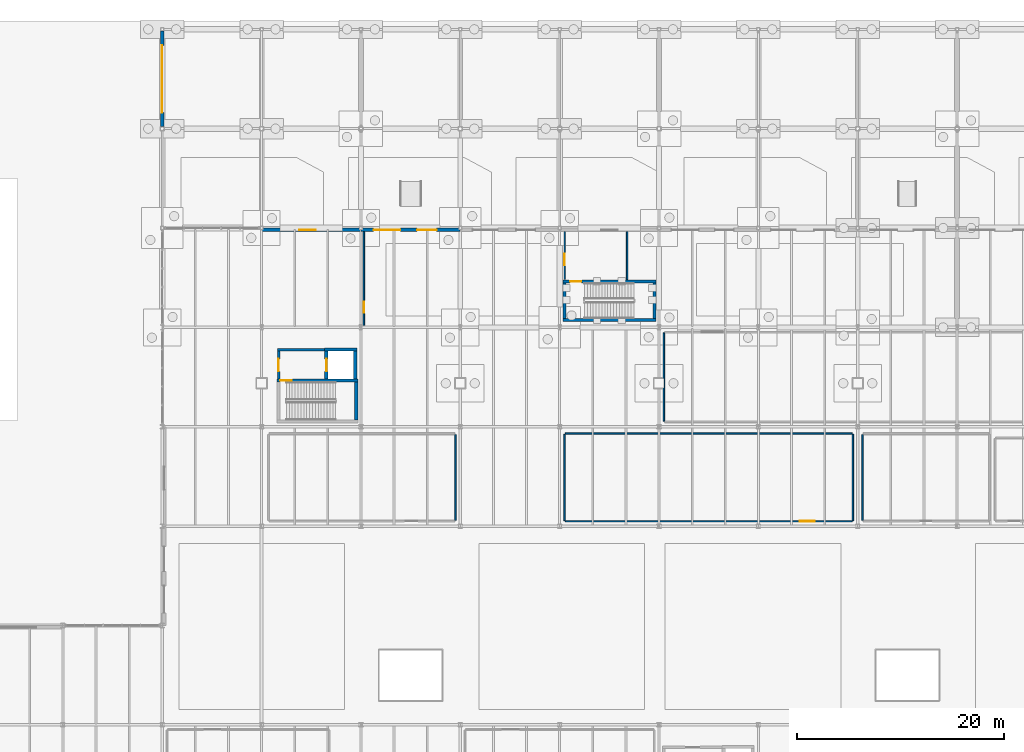
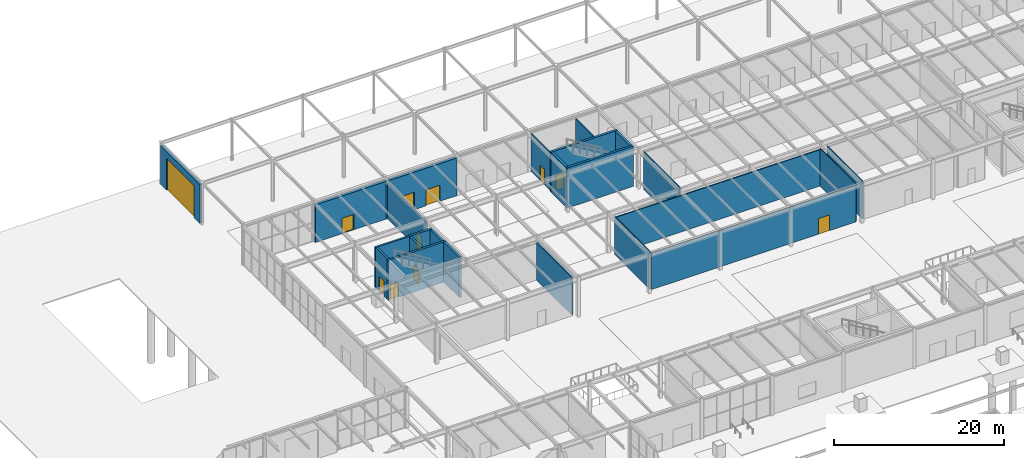
# One storey, part 121 of 142: 24 walls, 11 doors, 11 openings.
"""IFC4 building model written with IfcOpenShell, lengths in metres."""

from ifc_helpers import new_model, si_unit, direction, frame, frame_2d, origin, place, context, subcontext, project, spatial, rectangle, extrude, material, layer, layer_set, type_object, element, fill, save


model = new_model("IFC4")

# Units and contexts
model_context = context("Model", 3, precision=1e-05, world=origin(), true_north=direction((0.0, 1.0)))
body_context = subcontext(model_context, "Body", "Model", "MODEL_VIEW")
ifc_project = project(units=[si_unit("LENGTHUNIT", "METRE"), si_unit("AREAUNIT", "SQUARE_METRE"), si_unit("VOLUMEUNIT", "CUBIC_METRE"), si_unit("PLANEANGLEUNIT", "RADIAN"), si_unit("MASSUNIT", "GRAM", prefix="KILO")], contexts=[model_context])

# Site, building, storey
site_placement = place(None, origin())
site = spatial("IfcSite", under=ifc_project, at=site_placement, CompositionType="ELEMENT")
building_placement = place(site_placement, origin())
building = spatial("IfcBuilding", under=site, at=building_placement, Name="Coralgate Yard Interchange", CompositionType="ELEMENT")
storey_placement = place(building_placement, origin())
storey = spatial("IfcBuildingStorey", under=building, at=storey_placement, Name="L00", CompositionType="ELEMENT", Elevation=0.0)

# Wall, opening, door
ifc_material_1 = material(Name="Concrete C40/50", Category="concrete")
ifc_layer_1 = layer(ifc_material_1, 0.300048828125)
ifc_layer_set_1 = layer_set([ifc_layer_1], Name="Concrete C40/50")
wall_type_1 = type_object("IfcWallType", Name="WAL-CW300", PredefinedType="SHEAR", material=ifc_layer_set_1)
wall_1_placement = place(storey_placement, frame((57.300048828125, 81.25, 0.0), z_axis=(0.0, 0.0, 1.0), x_axis=(-1.0, 0.0, 0.0)))
wall_1 = element("IfcWall", 1, at=wall_1_placement, inside=storey, type_object=wall_type_1, Name="C5 L00 stair north shear wall", PredefinedType="SHEAR", context=body_context, shape_type="SweptSolid", body=[
    extrude(rectangle(XDim=7.800048828125, YDim=0.300048828125, at=frame_2d((3.89990234375, 0.0))), origin(), (0.0, 0.0, 1.0), 5.75),
])
opening_1_placement = place(wall_1_placement, frame((6.39990234375, 0.0, 0.0)))
opening_1 = element("IfcOpeningElement", 2, at=opening_1_placement, cuts=wall_1, Name="Opening FD-1", PredefinedType="OPENING", context=body_context, shape_type="SweptSolid", body=[
    extrude(rectangle(XDim=1.10009765625, YDim=2.14990234375, at=frame_2d((0.550048828125, 1.074951171875))), frame((0.0, 0.159912109375, 0.0), z_axis=(0.0, -1.0, 0.0), x_axis=(1.0, 0.0, 0.0)), (0.0, 0.0, 1.0), 0.320068359375),
])
ifc_material_2 = material(Name="Powder-coated steel fire door assembly", Category="steel")
door_type_1 = type_object("IfcDoorType", Name="DOR-FD-1", OperationType="NOTDEFINED", PredefinedType="DOOR", material=ifc_material_2)
door_1_placement = place(opening_1_placement, origin())
door_1 = element("IfcDoor", 3, at=door_1_placement, inside=storey, type_object=door_type_1, Name="C5 L00 stair fire door", OperationType="SINGLE_SWING_LEFT", OverallHeight=2.14990234375, OverallWidth=1.10009765625, PredefinedType="DOOR", context=body_context, shape_type="SweptSolid", body=[
    extrude(rectangle(XDim=1.10009765625, YDim=2.14990234375, at=frame_2d((0.550048828125, 1.074951171875))), frame((0.0, 0.02490234375, 0.0), z_axis=(0.0, -1.0, 0.0), x_axis=(1.0, 0.0, 0.0)), (0.0, 0.0, 1.0), 0.050048828125),
])
fill(opening_1, door_1)

# Wall
wall_2_placement = place(storey_placement, frame((57.14990234375, 81.10009765625, 0.0), z_axis=(0.0, 0.0, 1.0), x_axis=(0.0, -1.0, 0.0)))
element("IfcWall", 4, at=wall_2_placement, inside=storey, type_object=wall_type_1, Name="C5 L00 stair east shear wall", PredefinedType="SHEAR", context=body_context, shape_type="SweptSolid", body=[
    extrude(rectangle(XDim=3.650146484375, YDim=0.300048828125, at=frame_2d((1.8251953125, 0.0))), origin(), (0.0, 0.0, 1.0), 5.75),
])

# Wall, opening, door
wall_3_placement = place(storey_placement, frame((54.25, 84.10009765625, 0.0), z_axis=(0.0, 0.0, 1.0), x_axis=(0.0, -1.0, 0.0)))
wall_3 = element("IfcWall", 5, at=wall_3_placement, inside=storey, type_object=wall_type_1, Name="C5 L00 lift front shear wall", PredefinedType="SHEAR", context=body_context, shape_type="SweptSolid", body=[
    extrude(rectangle(XDim=2.7001953125, YDim=0.300048828125, at=frame_2d((1.35009765625, 0.0))), origin(), (0.0, 0.0, 1.0), 5.75),
])
opening_2_placement = place(wall_3_placement, frame((0.739990234375, 0.0, 0.0)))
opening_2 = element("IfcOpeningElement", 6, at=opening_2_placement, cuts=wall_3, Name="Opening LD-3", PredefinedType="OPENING", context=body_context, shape_type="SweptSolid", body=[
    extrude(rectangle(XDim=1.219970703125, YDim=2.14990234375, at=frame_2d((0.60986328125, 1.074951171875))), frame((0.0, 0.159912109375, 0.0), z_axis=(0.0, -1.0, 0.0), x_axis=(1.0, 0.0, 0.0)), (0.0, 0.0, 1.0), 0.320068359375),
])
ifc_material_3 = material(Name="Brushed stainless steel concourse lift landing door", Category="steel")
door_type_2 = type_object("IfcDoorType", Name="DOR-LD-3", OperationType="DOUBLE_DOOR_SLIDING", PredefinedType="DOOR", material=ifc_material_3)
door_2_placement = place(opening_2_placement, frame((1.219970703125, 0.0, 0.0), z_axis=(0.0, 0.0, 1.0), x_axis=(-1.0, 0.0, 0.0)))
door_2 = element("IfcDoor", 7, at=door_2_placement, inside=storey, type_object=door_type_2, Name="LF-03 L00 sliding lift landing door", OperationType="DOUBLE_DOOR_SLIDING", OverallHeight=2.14990234375, OverallWidth=1.219970703125, PredefinedType="DOOR", context=body_context, shape_type="SweptSolid", body=[
    extrude(rectangle(XDim=1.219970703125, YDim=2.14990234375, at=frame_2d((0.60986328125, 1.074951171875))), frame((0.0, 0.02490234375, 0.0), z_axis=(0.0, -1.0, 0.0), x_axis=(1.0, 0.0, 0.0)), (0.0, 0.0, 1.0), 0.050048828125),
])
fill(opening_2, door_2)

# Walls
wall_4_placement = place(storey_placement, frame((57.050048828125, 81.39990234375, 0.0), z_axis=(0.0, 0.0, 1.0), x_axis=(0.0, 1.0, 0.0)))
element("IfcWall", 8, at=wall_4_placement, inside=storey, type_object=wall_type_1, Name="C5 L00 lift rear shear wall", PredefinedType="SHEAR", context=body_context, shape_type="SweptSolid", body=[
    extrude(rectangle(XDim=2.7001953125, YDim=0.300048828125, at=frame_2d((1.35009765625, 0.0))), origin(), (0.0, 0.0, 1.0), 5.75),
])
wall_5_placement = place(storey_placement, frame((54.10009765625, 84.25, 0.0), z_axis=(0.0, 0.0, 1.0), x_axis=(1.0, 0.0, 0.0)))
element("IfcWall", 9, at=wall_5_placement, inside=storey, type_object=wall_type_1, Name="C5 L00 lift north shear wall", PredefinedType="SHEAR", context=body_context, shape_type="SweptSolid", body=[
    extrude(rectangle(XDim=3.099853515625, YDim=0.300048828125, at=frame_2d((1.5498046875, 0.0))), origin(), (0.0, 0.0, 1.0), 5.75),
])
wall_6_placement = place(storey_placement, frame((77.10009765625, 87.110107421875, 0.0), z_axis=(0.0, 0.0, 1.0), x_axis=(1.0, 0.0, 0.0)))
element("IfcWall", 10, at=wall_6_placement, inside=storey, type_object=wall_type_1, Name="C9 L00 stair south shear wall", PredefinedType="SHEAR", context=body_context, shape_type="SweptSolid", body=[
    extrude(rectangle(XDim=9.0, YDim=0.300048828125, at=frame_2d((4.5, 0.0))), origin(), (0.0, 0.0, 1.0), 5.75),
])

# Wall, opening, door
wall_7_placement = place(storey_placement, frame((86.10009765625, 90.85009765625, 0.0), z_axis=(0.0, 0.0, 1.0), x_axis=(-1.0, 0.0, 0.0)))
wall_7 = element("IfcWall", 11, at=wall_7_placement, inside=storey, type_object=wall_type_1, Name="C9 L00 stair north shear wall", PredefinedType="SHEAR", context=body_context, shape_type="SweptSolid", body=[
    extrude(rectangle(XDim=9.0, YDim=0.300048828125, at=frame_2d((4.5, 0.0))), origin(), (0.0, 0.0, 1.0), 5.75),
])
opening_3_placement = place(wall_7_placement, frame((7.199951171875, 0.0, 0.0)))
opening_3 = element("IfcOpeningElement", 12, at=opening_3_placement, cuts=wall_7, Name="Opening FD-1", PredefinedType="OPENING", context=body_context, shape_type="SweptSolid", body=[
    extrude(rectangle(XDim=1.10009765625, YDim=2.14990234375, at=frame_2d((0.550048828125, 1.074951171875))), frame((0.0, 0.159912109375, 0.0), z_axis=(0.0, -1.0, 0.0), x_axis=(1.0, 0.0, 0.0)), (0.0, 0.0, 1.0), 0.320068359375),
])
door_3_placement = place(opening_3_placement, origin())
door_3 = element("IfcDoor", 13, at=door_3_placement, inside=storey, type_object=door_type_1, Name="C9 L00 stair fire door", OperationType="SINGLE_SWING_LEFT", OverallHeight=2.14990234375, OverallWidth=1.10009765625, PredefinedType="DOOR", context=body_context, shape_type="SweptSolid", body=[
    extrude(rectangle(XDim=1.10009765625, YDim=2.14990234375, at=frame_2d((0.550048828125, 1.074951171875))), frame((0.0, 0.02490234375, 0.0), z_axis=(0.0, -1.0, 0.0), x_axis=(1.0, 0.0, 0.0)), (0.0, 0.0, 1.0), 0.050048828125),
])
fill(opening_3, door_3)

# Walls
for number, where, z_axis, x_axis, name in (
    (14, (77.25, 87.260009765625, 0.0), (0.0, 0.0, 1.0), (0.0, 1.0, 0.0), "C9 L00 stair west shear wall"),
    (15, (85.949951171875, 90.699951171875, 0.0), (0.0, 0.0, 1.0), (0.0, -1.0, 0.0), "C9 L00 stair east shear wall"),
):
    element("IfcWall", number, at=place(storey_placement, frame(where, z_axis=z_axis, x_axis=x_axis)), inside=storey, type_object=wall_type_1, Name=name, PredefinedType="SHEAR", context=body_context, shape_type="SweptSolid", body=[
        extrude(rectangle(XDim=3.43994140625, YDim=0.300048828125, at=frame_2d((1.719970703125, 0.0))), origin(), (0.0, 0.0, 1.0), 5.75),
    ])

# Wall, opening, door
ifc_material_4 = material(Name="Precast concrete C40/50", Category="concrete")
ifc_layer_2 = layer(ifc_material_4, 0.320068359375)
ifc_layer_set_2 = layer_set([ifc_layer_2], Name="Precast concrete C40/50")
wall_type_2 = type_object("IfcWallType", Name="WAL-EW-320", PredefinedType="SOLIDWALL", material=ifc_layer_set_2)
wall_8_placement = place(storey_placement, frame((38.39990234375, 105.81005859375, 0.0), z_axis=(0.0, 0.0, 1.0), x_axis=(0.0, 1.0, 0.0)))
wall_8 = element("IfcWall", 16, at=wall_8_placement, inside=storey, type_object=wall_type_2, Name="Vehicle entrance portal wall VG-02", PredefinedType="SOLIDWALL", context=body_context, shape_type="SweptSolid", body=[
    extrude(rectangle(XDim=9.219970703125, YDim=0.320068359375, at=frame_2d((4.60986328125, 0.0))), origin(), (0.0, 0.0, 1.0), 5.550048828125),
])
opening_4_placement = place(wall_8_placement, frame((1.340087890625, 0.0, 0.0)))
opening_4 = element("IfcOpeningElement", 17, at=opening_4_placement, cuts=wall_8, Name="Opening VG-1", PredefinedType="OPENING", context=body_context, shape_type="SweptSolid", body=[
    extrude(rectangle(XDim=6.5, YDim=4.60009765625, at=frame_2d((3.25, 2.300048828125))), frame((0.0, 0.169921875, 0.0), z_axis=(0.0, -1.0, 0.0), x_axis=(1.0, 0.0, 0.0)), (0.0, 0.0, 1.0), 0.340087890625),
])
ifc_material_5 = material(Name="Galvanised steel automated vehicle entrance gate", Category="steel")
door_type_3 = type_object("IfcDoorType", Name="DOR-VG-1", OperationType="DOUBLE_DOOR_SLIDING", PredefinedType="GATE", material=ifc_material_5)
door_4_placement = place(opening_4_placement, origin())
door_4 = element("IfcDoor", 18, at=door_4_placement, inside=storey, type_object=door_type_3, Name="Vehicle Entrance Gate VG-02", OperationType="DOUBLE_DOOR_SLIDING", OverallHeight=4.60009765625, OverallWidth=6.5, PredefinedType="GATE", context=body_context, shape_type="SweptSolid", body=[
    extrude(rectangle(XDim=6.5, YDim=4.60009765625, at=frame_2d((3.25, 2.300048828125))), frame((0.0, 0.02490234375, 0.0), z_axis=(0.0, -1.0, 0.0), x_axis=(1.0, 0.0, 0.0)), (0.0, 0.0, 1.0), 0.050048828125),
])
fill(opening_4, door_4)

ifc_layer_3 = layer(ifc_material_4, 0.35009765625)
ifc_layer_set_3 = layer_set([ifc_layer_3], Name="Precast concrete C40/50")
wall_type_3 = type_object("IfcWallType", Name="WAL-EW-350", PredefinedType="SOLIDWALL", material=ifc_layer_set_3)
wall_9_placement = place(storey_placement, frame((48.02001953125, 95.824951171875, 0.0), z_axis=(0.0, 0.0, 1.0), x_axis=(1.0, 0.0, 0.0)))
wall_9 = element("IfcWall", 19, at=wall_9_placement, inside=storey, type_object=wall_type_3, Name="L00 exterior coastal wall N 5-9", PredefinedType="SOLIDWALL", context=body_context, shape_type="SweptSolid", body=[
    extrude(rectangle(XDim=9.56005859375, YDim=0.35009765625, at=frame_2d((4.780029296875, 0.0))), origin(), (0.0, 0.0, 1.0), 5.39990234375),
])
opening_5_placement = place(wall_9_placement, frame((3.60009765625, 0.0, 0.0)))
opening_5 = element("IfcOpeningElement", 20, at=opening_5_placement, cuts=wall_9, Name="Opening ED-4", PredefinedType="OPENING", context=body_context, shape_type="SweptSolid", body=[
    extrude(rectangle(XDim=1.60009765625, YDim=2.199951171875, at=frame_2d((0.800048828125, 1.10009765625))), frame((0.0, 0.18505859375, 0.0), z_axis=(0.0, -1.0, 0.0), x_axis=(1.0, 0.0, 0.0)), (0.0, 0.0, 1.0), 0.3701171875),
])
ifc_material_6 = material(Name="Powder-coated steel emergency exit double door", Category="steel")
door_type_4 = type_object("IfcDoorType", Name="DOR-ED-4", OperationType="NOTDEFINED", PredefinedType="DOOR", material=ifc_material_6)
door_5_placement = place(opening_5_placement, origin())
door_5 = element("IfcDoor", 21, at=door_5_placement, inside=storey, type_object=door_type_4, Name="L00 final exit double door ED-06", OperationType="DOUBLE_DOOR_SINGLE_SWING", OverallHeight=2.199951171875, OverallWidth=1.60009765625, PredefinedType="DOOR", context=body_context, shape_type="SweptSolid", body=[
    extrude(rectangle(XDim=1.60009765625, YDim=2.199951171875, at=frame_2d((0.800048828125, 1.10009765625))), frame((0.0, 0.02490234375, 0.0), z_axis=(0.0, -1.0, 0.0), x_axis=(1.0, 0.0, 0.0)), (0.0, 0.0, 1.0), 0.050048828125),
])
fill(opening_5, door_5)

# Wall, openings, doors
wall_10_placement = place(storey_placement, frame((57.6201171875, 95.824951171875, 0.0), z_axis=(0.0, 0.0, 1.0), x_axis=(1.0, 0.0, 0.0)))
wall_10 = element("IfcWall", 22, at=wall_10_placement, inside=storey, type_object=wall_type_3, Name="L00 exterior coastal wall N 6-9", PredefinedType="SOLIDWALL", context=body_context, shape_type="SweptSolid", body=[
    extrude(rectangle(XDim=9.559814453125, YDim=0.35009765625, at=frame_2d((4.77978515625, 0.0))), origin(), (0.0, 0.0, 1.0), 5.39990234375),
])
opening_6_placement = place(wall_10_placement, frame((1.199951171875, 0.0, 0.0)))
opening_6 = element("IfcOpeningElement", 23, at=opening_6_placement, cuts=wall_10, Name="Opening ED-6", PredefinedType="OPENING", context=body_context, shape_type="SweptSolid", body=[
    extrude(rectangle(XDim=2.60009765625, YDim=2.5, at=frame_2d((1.300048828125, 1.25))), frame((0.0, 0.18505859375, 0.0), z_axis=(0.0, -1.0, 0.0), x_axis=(1.0, 0.0, 0.0)), (0.0, 0.0, 1.0), 0.3701171875),
])
opening_7_placement = place(wall_10_placement, frame((5.39990234375, 0.0, 0.0)))
opening_7 = element("IfcOpeningElement", 24, at=opening_7_placement, cuts=wall_10, Name="Opening ED-7", PredefinedType="OPENING", context=body_context, shape_type="SweptSolid", body=[
    extrude(rectangle(XDim=1.89990234375, YDim=2.300048828125, at=frame_2d((0.949951171875, 1.14990234375))), frame((0.0, 0.18505859375, 0.0), z_axis=(0.0, -1.0, 0.0), x_axis=(1.0, 0.0, 0.0)), (0.0, 0.0, 1.0), 0.3701171875),
])
ifc_material_7 = material(Name="Anodised aluminium main concourse double door", Category="aluminium")
door_type_5 = type_object("IfcDoorType", Name="DOR-ED-6", OperationType="NOTDEFINED", PredefinedType="DOOR", material=ifc_material_7)
door_6_placement = place(opening_6_placement, origin())
door_6 = element("IfcDoor", 25, at=door_6_placement, inside=storey, type_object=door_type_5, Name="L00 final exit double door ED-09", OperationType="DOUBLE_DOOR_SINGLE_SWING", OverallHeight=2.5, OverallWidth=2.60009765625, PredefinedType="DOOR", context=body_context, shape_type="SweptSolid", body=[
    extrude(rectangle(XDim=2.60009765625, YDim=2.5, at=frame_2d((1.300048828125, 1.25))), frame((0.0, 0.02490234375, 0.0), z_axis=(0.0, -1.0, 0.0), x_axis=(1.0, 0.0, 0.0)), (0.0, 0.0, 1.0), 0.050048828125),
])
fill(opening_6, door_6)
ifc_material_8 = material(Name="Anodised aluminium bus-apron boarding double door", Category="aluminium")
door_type_6 = type_object("IfcDoorType", Name="DOR-ED-7", OperationType="NOTDEFINED", PredefinedType="DOOR", material=ifc_material_8)
door_7_placement = place(opening_7_placement, origin())
door_7 = element("IfcDoor", 26, at=door_7_placement, inside=storey, type_object=door_type_6, Name="L00 final exit double door ED-10", OperationType="DOUBLE_DOOR_SINGLE_SWING", OverallHeight=2.300048828125, OverallWidth=1.89990234375, PredefinedType="DOOR", context=body_context, shape_type="SweptSolid", body=[
    extrude(rectangle(XDim=1.89990234375, YDim=2.300048828125, at=frame_2d((0.949951171875, 1.14990234375))), frame((0.0, 0.02490234375, 0.0), z_axis=(0.0, -1.0, 0.0), x_axis=(1.0, 0.0, 0.0)), (0.0, 0.0, 1.0), 0.050048828125),
])
fill(opening_7, door_7)

# Wall, opening, door
ifc_material_9 = material(Name="Acoustic twin-stud office partition")
ifc_layer_4 = layer(ifc_material_9, 0.139892578125)
ifc_layer_set_4 = layer_set([ifc_layer_4], Name="Acoustic twin-stud office partition")
wall_type_4 = type_object("IfcWallType", Name="WAL-PW-140", PredefinedType="PARTITIONING", material=ifc_layer_set_4)
wall_11_placement = place(storey_placement, frame((105.06005859375, 67.669921875, 0.0), z_axis=(0.0, 0.0, 1.0), x_axis=(-1.0, 0.0, 0.0)))
wall_11 = element("IfcWall", 27, at=wall_11_placement, inside=storey, type_object=wall_type_4, Name="Intermodal Travel Information Centre partition S", PredefinedType="PARTITIONING", context=body_context, shape_type="SweptSolid", body=[
    extrude(rectangle(XDim=27.719970703125, YDim=0.139892578125, at=frame_2d((13.85986328125, 0.0))), origin(), (0.0, 0.0, 1.0), 5.206787109375),
])
opening_8_placement = place(wall_11_placement, frame((3.60009765625, 0.0, 0.0)))
opening_8 = element("IfcOpeningElement", 28, at=opening_8_placement, cuts=wall_11, Name="Opening ID-18", PredefinedType="OPENING", context=body_context, shape_type="SweptSolid", body=[
    extrude(rectangle(XDim=1.449951171875, YDim=2.25, at=frame_2d((0.72509765625, 1.125))), frame((0.0, 0.079833984375, 0.0), z_axis=(0.0, -1.0, 0.0), x_axis=(1.0, 0.0, 0.0)), (0.0, 0.0, 1.0), 0.159912109375),
])
ifc_material_10 = material(Name="Glazed passenger service counter double door")
door_type_7 = type_object("IfcDoorType", Name="DOR-ID-18", OperationType="NOTDEFINED", PredefinedType="DOOR", material=ifc_material_10)
door_8_placement = place(opening_8_placement, origin())
door_8 = element("IfcDoor", 29, at=door_8_placement, inside=storey, type_object=door_type_7, Name="Intermodal Travel Information Centre door", OperationType="DOUBLE_DOOR_SINGLE_SWING", OverallHeight=2.25, OverallWidth=1.449951171875, PredefinedType="DOOR", context=body_context, shape_type="SweptSolid", body=[
    extrude(rectangle(XDim=1.449951171875, YDim=2.25, at=frame_2d((0.72509765625, 1.125))), frame((0.0, 0.02490234375, 0.0), z_axis=(0.0, -1.0, 0.0), x_axis=(1.0, 0.0, 0.0)), (0.0, 0.0, 1.0), 0.050048828125),
])
fill(opening_8, door_8)

# Walls
wall_12_placement = place(storey_placement, frame((77.340087890625, 76.1298828125, 0.0), z_axis=(0.0, 0.0, 1.0), x_axis=(1.0, 0.0, 0.0)))
element("IfcWall", 30, at=wall_12_placement, inside=storey, type_object=wall_type_4, Name="Intermodal Travel Information Centre partition N", PredefinedType="PARTITIONING", context=body_context, shape_type="SweptSolid", body=[
    extrude(rectangle(XDim=27.719970703125, YDim=0.139892578125, at=frame_2d((13.85986328125, 0.0))), origin(), (0.0, 0.0, 1.0), 5.206787109375),
])
for number, where, z_axis, x_axis, name in (
    (31, (77.27001953125, 67.739990234375, 0.0), (0.0, 0.0, 1.0), (0.0, 1.0, 0.0), "Intermodal Travel Information Centre partition W"),
    (32, (105.1298828125, 76.06005859375, 0.0), (0.0, 0.0, 1.0), (0.0, -1.0, 0.0), "Intermodal Travel Information Centre partition E"),
):
    element("IfcWall", number, at=place(storey_placement, frame(where, z_axis=z_axis, x_axis=x_axis)), inside=storey, type_object=wall_type_4, Name=name, PredefinedType="PARTITIONING", context=body_context, shape_type="SweptSolid", body=[
        extrude(rectangle(XDim=8.320068359375, YDim=0.139892578125, at=frame_2d((4.16015625, 0.0))), origin(), (0.0, 0.0, 1.0), 5.389892578125),
    ])
wall_13_placement = place(storey_placement, frame((86.8701171875, 77.340087890625, 0.0), z_axis=(0.0, 0.0, 1.0), x_axis=(0.0, 1.0, 0.0)))
element("IfcWall", 33, at=wall_13_placement, inside=storey, type_object=wall_type_4, Name="Station Coastal Cafe and Bakery partition W", PredefinedType="PARTITIONING", context=body_context, shape_type="SweptSolid", body=[
    extrude(rectangle(XDim=8.52001953125, YDim=0.139892578125, at=frame_2d((4.260009765625, 0.0))), origin(), (0.0, 0.0, 1.0), 5.389892578125),
])
ifc_material_11 = material(Name="Moisture-resistant masonry washroom wall", Category="masonry")
ifc_layer_5 = layer(ifc_material_11, 0.14990234375)
ifc_layer_set_5 = layer_set([ifc_layer_5], Name="Moisture-resistant masonry washroom wall")
wall_type_5 = type_object("IfcWallType", Name="WAL-PW-150", PredefinedType="PLUMBINGWALL", material=ifc_layer_set_5)
wall_14_placement = place(storey_placement, frame((106.074951171875, 67.75, 0.0), z_axis=(0.0, 0.0, 1.0), x_axis=(0.0, 1.0, 0.0)))
element("IfcWall", 34, at=wall_14_placement, inside=storey, type_object=wall_type_5, Name="Concourse Public Washrooms partition W", PredefinedType="PLUMBINGWALL", context=body_context, shape_type="SweptSolid", body=[
    extrude(rectangle(XDim=8.300048828125, YDim=0.14990234375, at=frame_2d((4.14990234375, 0.0))), origin(), (0.0, 0.0, 1.0), 5.389892578125),
])

# Wall, opening, door
ifc_material_12 = material(Name="Fire-rated twin-stud gypsum partition")
ifc_layer_6 = layer(ifc_material_12, 0.159912109375)
ifc_layer_set_6 = layer_set([ifc_layer_6], Name="Fire-rated twin-stud gypsum partition")
wall_type_6 = type_object("IfcWallType", Name="WAL-PW-160", PredefinedType="PARTITIONING", material=ifc_layer_set_6)
wall_15_placement = place(storey_placement, frame((57.8798828125, 86.60009765625, 0.0), z_axis=(0.0, 0.0, 1.0), x_axis=(0.0, 1.0, 0.0)))
wall_15 = element("IfcWall", 35, at=wall_15_placement, inside=storey, type_object=wall_type_6, Name="C5 protected exit corridor separation wall", PredefinedType="PARTITIONING", context=body_context, shape_type="SweptSolid", body=[
    extrude(rectangle(XDim=9.0498046875, YDim=0.159912109375, at=frame_2d((4.52490234375, 0.0))), origin(), (0.0, 0.0, 1.0), 5.056396484375),
])
opening_9_placement = place(wall_15_placement, frame((1.199951171875, 0.0, 0.0)))
opening_9 = element("IfcOpeningElement", 36, at=opening_9_placement, cuts=wall_15, Name="Opening ID-04", PredefinedType="OPENING", context=body_context, shape_type="SweptSolid", body=[
    extrude(rectangle(XDim=1.10009765625, YDim=2.199951171875, at=frame_2d((0.550048828125, 1.10009765625))), frame((0.0, 0.08984375, 0.0), z_axis=(0.0, -1.0, 0.0), x_axis=(1.0, 0.0, 0.0)), (0.0, 0.0, 1.0), 0.179931640625),
])
ifc_material_13 = material(Name="Fire-resisting acoustic timber corridor door", Category="wood")
door_type_8 = type_object("IfcDoorType", Name="DOR-ID-04", OperationType="NOTDEFINED", PredefinedType="DOOR", material=ifc_material_13)
door_9_placement = place(opening_9_placement, origin())
door_9 = element("IfcDoor", 37, at=door_9_placement, inside=storey, type_object=door_type_8, Name="C5 protected exit corridor fire door", OperationType="SINGLE_SWING_LEFT", OverallHeight=2.199951171875, OverallWidth=1.10009765625, PredefinedType="DOOR", context=body_context, shape_type="SweptSolid", body=[
    extrude(rectangle(XDim=1.10009765625, YDim=2.199951171875, at=frame_2d((0.550048828125, 1.10009765625))), frame((0.0, 0.02490234375, 0.0), z_axis=(0.0, -1.0, 0.0), x_axis=(1.0, 0.0, 0.0)), (0.0, 0.0, 1.0), 0.050048828125),
])
fill(opening_9, door_9)

wall_16_placement = place(storey_placement, frame((77.280029296875, 91.02001953125, 0.0), z_axis=(0.0, 0.0, 1.0), x_axis=(0.0, 1.0, 0.0)))
wall_16 = element("IfcWall", 38, at=wall_16_placement, inside=storey, type_object=wall_type_6, Name="C9 protected exit passageway west fire wall", PredefinedType="PARTITIONING", context=body_context, shape_type="SweptSolid", body=[
    extrude(rectangle(XDim=4.6298828125, YDim=0.159912109375, at=frame_2d((2.31494140625, 0.0))), origin(), (0.0, 0.0, 1.0), 5.389892578125),
])
opening_10_placement = place(wall_16_placement, frame((1.39990234375, 0.0, 0.0)))
opening_10 = element("IfcOpeningElement", 39, at=opening_10_placement, cuts=wall_16, Name="Opening ID-04", PredefinedType="OPENING", context=body_context, shape_type="SweptSolid", body=[
    extrude(rectangle(XDim=1.10009765625, YDim=2.199951171875, at=frame_2d((0.550048828125, 1.10009765625))), frame((0.0, 0.08984375, 0.0), z_axis=(0.0, -1.0, 0.0), x_axis=(1.0, 0.0, 0.0)), (0.0, 0.0, 1.0), 0.179931640625),
])
door_10_placement = place(opening_10_placement, frame((1.10009765625, 0.0, 0.0), z_axis=(0.0, 0.0, 1.0), x_axis=(-1.0, 0.0, 0.0)))
door_10 = element("IfcDoor", 40, at=door_10_placement, inside=storey, type_object=door_type_8, Name="C9 protected exit passageway fire door", OperationType="SINGLE_SWING_RIGHT", OverallHeight=2.199951171875, OverallWidth=1.10009765625, PredefinedType="DOOR", context=body_context, shape_type="SweptSolid", body=[
    extrude(rectangle(XDim=1.10009765625, YDim=2.199951171875, at=frame_2d((0.550048828125, 1.10009765625))), frame((0.0, 0.02490234375, 0.0), z_axis=(0.0, -1.0, 0.0), x_axis=(1.0, 0.0, 0.0)), (0.0, 0.0, 1.0), 0.050048828125),
])
fill(opening_10, door_10)

# Walls
wall_17_placement = place(storey_placement, frame((83.320068359375, 95.64990234375, 0.0), z_axis=(0.0, 0.0, 1.0), x_axis=(0.0, -1.0, 0.0)))
element("IfcWall", 41, at=wall_17_placement, inside=storey, type_object=wall_type_6, Name="C9 protected exit passageway east fire wall", PredefinedType="PARTITIONING", context=body_context, shape_type="SweptSolid", body=[
    extrude(rectangle(XDim=4.6298828125, YDim=0.159912109375, at=frame_2d((2.31494140625, 0.0))), origin(), (0.0, 0.0, 1.0), 5.389892578125),
])
wall_18_placement = place(storey_placement, frame((66.719970703125, 76.0400390625, 0.0), z_axis=(0.0, 0.0, 1.0), x_axis=(0.0, -1.0, 0.0)))
element("IfcWall", 42, at=wall_18_placement, inside=storey, type_object=wall_type_6, Name="Ticket Counters and Fare Office partition E", PredefinedType="PARTITIONING", context=body_context, shape_type="SweptSolid", body=[
    extrude(rectangle(XDim=8.280029296875, YDim=0.159912109375, at=frame_2d((4.14013671875, 0.0))), origin(), (0.0, 0.0, 1.0), 5.389892578125),
])
ifc_layer_7 = layer(ifc_material_1, 0.25)
ifc_layer_set_7 = layer_set([ifc_layer_7], Name="Concrete C40/50")
wall_type_7 = type_object("IfcWallType", Name="WAL-SW250", PredefinedType="SHEAR", material=ifc_layer_set_7)
wall_19_placement = place(storey_placement, frame((54.10009765625, 84.22509765625, 0.0), z_axis=(0.0, 0.0, 1.0), x_axis=(-1.0, 0.0, 0.0)))
element("IfcWall", 43, at=wall_19_placement, inside=storey, type_object=wall_type_7, Name="C5 L00 lobby north fire wall", PredefinedType="SHEAR", context=body_context, shape_type="SweptSolid", body=[
    extrude(rectangle(XDim=4.5751953125, YDim=0.25, at=frame_2d((2.28759765625, 0.0))), origin(), (0.0, 0.0, 1.0), 5.75),
])

# Wall, opening, door
wall_20_placement = place(storey_placement, frame((49.64990234375, 81.39990234375, 0.0), z_axis=(0.0, 0.0, 1.0), x_axis=(0.0, 1.0, 0.0)))
wall_20 = element("IfcWall", 44, at=wall_20_placement, inside=storey, type_object=wall_type_7, Name="C5 L00 lobby west fire wall", PredefinedType="SHEAR", context=body_context, shape_type="SweptSolid", body=[
    extrude(rectangle(XDim=2.7001953125, YDim=0.25, at=frame_2d((1.35009765625, 0.0))), origin(), (0.0, 0.0, 1.0), 5.75),
])
opening_11_placement = place(wall_20_placement, frame((0.75, 0.0, 0.0)))
opening_11 = element("IfcOpeningElement", 45, at=opening_11_placement, cuts=wall_20, Name="Opening FD-2", PredefinedType="OPENING", context=body_context, shape_type="SweptSolid", body=[
    extrude(rectangle(XDim=1.199951171875, YDim=2.14990234375, at=frame_2d((0.60009765625, 1.074951171875))), frame((0.0, 0.135009765625, 0.0), z_axis=(0.0, -1.0, 0.0), x_axis=(1.0, 0.0, 0.0)), (0.0, 0.0, 1.0), 0.27001953125),
])
door_type_9 = type_object("IfcDoorType", Name="DOR-FD-2", OperationType="NOTDEFINED", PredefinedType="DOOR", material=ifc_material_2)
door_11_placement = place(opening_11_placement, frame((1.199951171875, 0.0, 0.0), z_axis=(0.0, 0.0, 1.0), x_axis=(-1.0, 0.0, 0.0)))
door_11 = element("IfcDoor", 46, at=door_11_placement, inside=storey, type_object=door_type_9, Name="C5 L00 lobby fire door", OperationType="SINGLE_SWING_RIGHT", OverallHeight=2.14990234375, OverallWidth=1.199951171875, PredefinedType="DOOR", context=body_context, shape_type="SweptSolid", body=[
    extrude(rectangle(XDim=1.199951171875, YDim=2.14990234375, at=frame_2d((0.60009765625, 1.074951171875))), frame((0.0, 0.02490234375, 0.0), z_axis=(0.0, -1.0, 0.0), x_axis=(1.0, 0.0, 0.0)), (0.0, 0.0, 1.0), 0.050048828125),
])
fill(opening_11, door_11)

save(model, "model.ifc")
